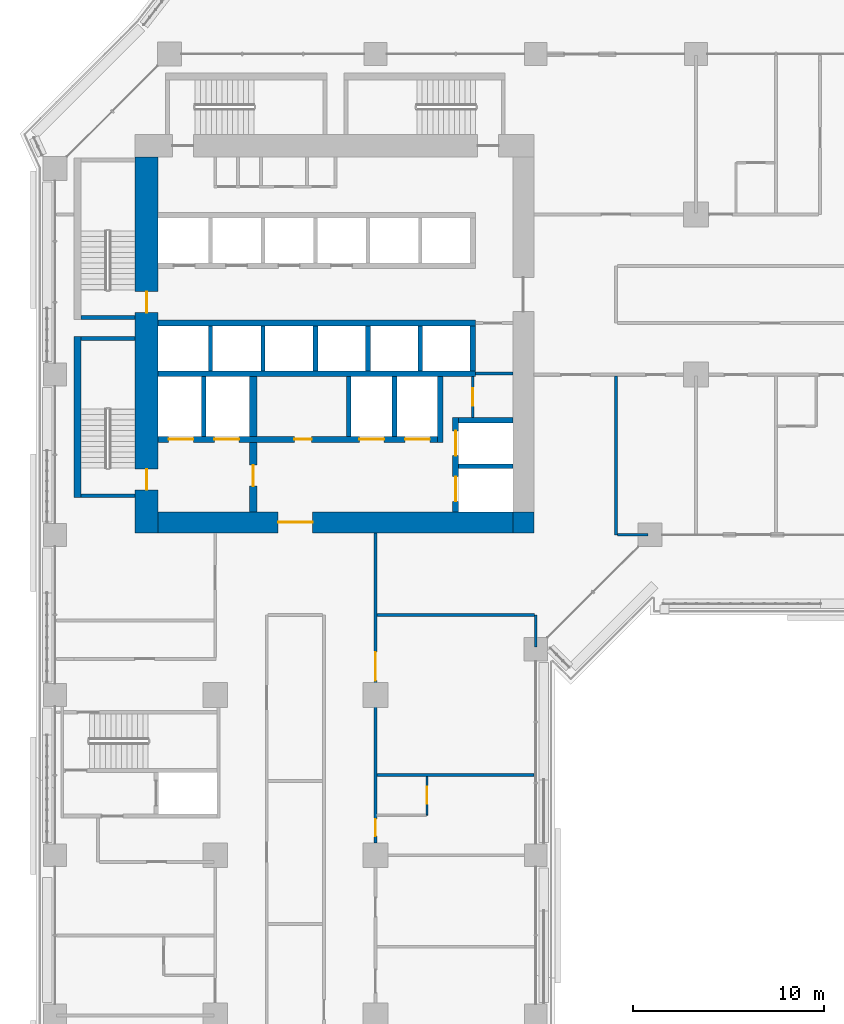
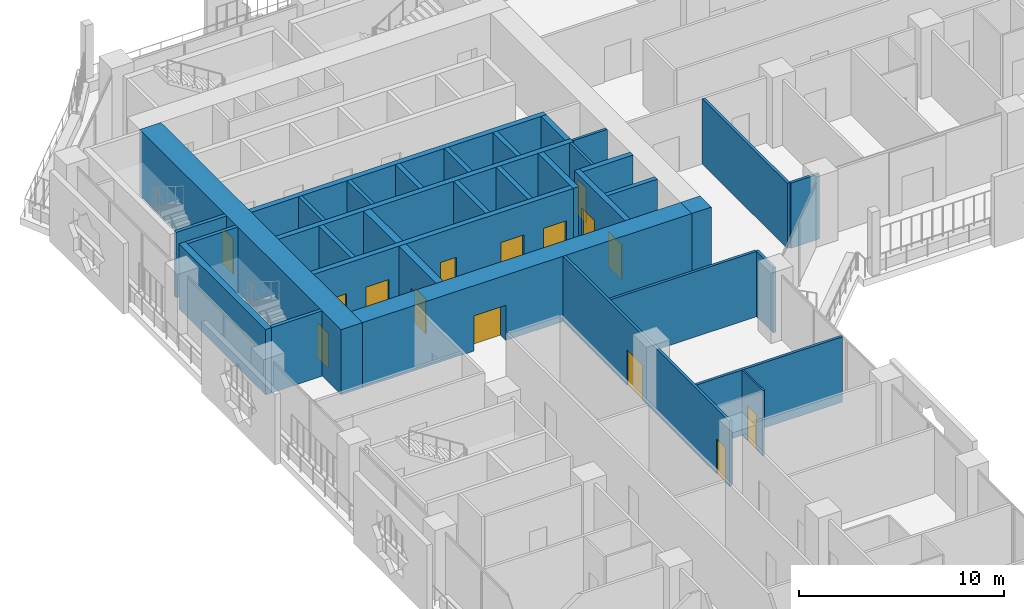
# One storey, part 15 of 28: 34 walls, 15 doors, 15 openings.
"""IFC4 building model written with IfcOpenShell, lengths in metres."""

import ifcopenshell
import ifcopenshell.guid

model = None  # the IFC model being written
_history = None  # IfcOwnerHistory: only IFC2X3 demands one
_inside = {}  # id of a spatial element -> (the spatial element, [elements in it])
_under = {}  # id of a project, library or spatial element -> (it, [spatial elements below it])
_declared = {}  # id of a project -> (the project, [libraries it declares])
_typed = {}  # id of a type object -> (the type object, [elements of that type])
_made_of = {}  # id of a material, layer set ... -> (it, [elements and type objects made of it])


def new_model(schema):
    """Start an empty IFC model of exactly this schema.

    Asked for "IFC4X3", IfcOpenShell would pick the latest addendum, in which some entities
    have other attributes; the version numbers below select the first issue.
    IFC2X3 requires an IfcOwnerHistory on every rooted entity: one is made here for all.
    """
    global model, _history
    if schema == "IFC4X3":
        model = ifcopenshell.file(schema_version=(4, 3, 0, 0))
    else:
        model = ifcopenshell.file(schema=schema)
    _inside.clear()
    _under.clear()
    _declared.clear()
    _typed.clear()
    _made_of.clear()
    _history = None
    if model.schema == "IFC2X3":
        org = make("IfcOrganization", Name="unknown")
        user = make(
            "IfcPersonAndOrganization",
            ThePerson=make("IfcPerson", FamilyName="unknown"),
            TheOrganization=org,
        )
        app = make(
            "IfcApplication",
            ApplicationDeveloper=org,
            Version="unknown",
            ApplicationFullName="unknown",
            ApplicationIdentifier="unknown",
        )
        _history = make(
            "IfcOwnerHistory",
            OwningUser=user,
            OwningApplication=app,
            ChangeAction="ADDED",
            CreationDate=0,
        )
    return model


def make(cls, **values):
    """One entity of the class cls with the attributes given. An attribute that is None is left unset."""
    return model.create_entity(
        cls, **{name: value for name, value in values.items() if value is not None}
    )


def rooted(cls, **values):
    """An entity with a GlobalId (a new one), such as an element, a storey or a relation."""
    return make(cls, GlobalId=ifcopenshell.guid.new(), OwnerHistory=_history, **values)


def si_unit(unit_type, name, prefix=None):
    """IfcSIUnit, for example si_unit("LENGTHUNIT", "METRE", prefix="MILLI")."""
    return make("IfcSIUnit", UnitType=unit_type, Prefix=prefix, Name=name)


def assignment(units):
    """IfcUnitAssignment: the units of a project."""
    return None if units is None else make("IfcUnitAssignment", Units=units)


def point(xyz):
    """IfcCartesianPoint."""
    return None if xyz is None else make("IfcCartesianPoint", Coordinates=xyz)


def direction(xyz):
    """IfcDirection."""
    return None if xyz is None else make("IfcDirection", DirectionRatios=xyz)


def frame(location, z_axis=None, x_axis=None):
    """IfcAxis2Placement3D, a coordinate frame: its origin and axes. An axis left out is left unset."""
    return make(
        "IfcAxis2Placement3D",
        Location=point(location),
        Axis=direction(z_axis),
        RefDirection=direction(x_axis),
    )


def frame_2d(location, x_axis=None):
    """IfcAxis2Placement2D, a coordinate frame in the plane: its origin and x axis."""
    return make(
        "IfcAxis2Placement2D", Location=point(location), RefDirection=direction(x_axis)
    )


def origin():
    """The frame at (0, 0, 0) with its axes left unset."""
    return frame((0.0, 0.0, 0.0))


def place(relative_to, where):
    """IfcLocalPlacement: puts the frame where relative to a parent placement (None: the world)."""
    return make(
        "IfcLocalPlacement", PlacementRelTo=relative_to, RelativePlacement=where
    )


def context(
    kind, dimensions, precision=None, world=None, true_north=None, identifier=None
):
    """IfcGeometricRepresentationContext, for example the 3D "Model" context."""
    return make(
        "IfcGeometricRepresentationContext",
        ContextIdentifier=identifier,
        ContextType=kind,
        CoordinateSpaceDimension=dimensions,
        Precision=precision,
        WorldCoordinateSystem=world,
        TrueNorth=true_north,
    )


def subcontext(parent, identifier, kind, view, scale=None):
    """IfcGeometricRepresentationSubContext, for example "Body" below "Model"."""
    return make(
        "IfcGeometricRepresentationSubContext",
        ContextIdentifier=identifier,
        ContextType=kind,
        ParentContext=parent,
        TargetScale=scale,
        TargetView=view,
    )


def project(units=None, contexts=None):
    """IfcProject with its units and contexts."""
    return rooted(
        "IfcProject",
        Name="project",
        RepresentationContexts=contexts,
        UnitsInContext=assignment(units),
    )


def spatial(cls, under=None, at=None, **own):
    """A site, building, storey or space (cls), placed at a placement, below another one or the project."""
    s = rooted(cls, ObjectPlacement=at, **own)
    if under is not None:
        _under.setdefault(under.id(), (under, []))[1].append(s)
    return s


def profile(cls, at=None, kind="AREA", **sizes):
    """A parametric profile (cls). Its sizes go by their IFC names, for example OverallWidth=200.0."""
    return make(cls, ProfileType=kind, Position=at, **sizes)


def rectangle(**sizes):
    """IfcRectangleProfileDef."""
    return profile("IfcRectangleProfileDef", **sizes)


def extrude(swept, where, along, depth):
    """IfcExtrudedAreaSolid: the profile swept, set in the frame where, extruded along a direction by depth."""
    return make(
        "IfcExtrudedAreaSolid",
        SweptArea=swept,
        Position=where,
        ExtrudedDirection=direction(along),
        Depth=depth,
    )


def shape(context_of_items, identifier, shape_type, items):
    """IfcShapeRepresentation: the items that make up one representation, for example the "Body"."""
    return make(
        "IfcShapeRepresentation",
        ContextOfItems=context_of_items,
        RepresentationIdentifier=identifier,
        RepresentationType=shape_type,
        Items=items,
    )


def material(Name=None, Category=None):
    """IfcMaterial."""
    return make("IfcMaterial", Name=Name, Category=Category)


def layer(
    of_material, thickness, ventilated=None, Name=None, Category=None, Priority=None
):
    """IfcMaterialLayer: one layer of a wall or slab, of a material (None: an air gap)."""
    return make(
        "IfcMaterialLayer",
        Material=of_material,
        LayerThickness=thickness,
        IsVentilated=ventilated,
        Name=Name,
        Category=Category,
        Priority=Priority,
    )


def layer_set(layers, Name=None):
    """IfcMaterialLayerSet."""
    return make("IfcMaterialLayerSet", MaterialLayers=layers, LayerSetName=Name)


def made_of(thing, what):
    """Note that an element or type object is made of a material, layer set ...; save() writes the relation."""
    if what is not None:
        _made_of.setdefault(what.id(), (what, []))[1].append(thing)
    return thing


def type_object(cls, material=None, **own):
    """A type object (cls), such as IfcWallType, which elements share."""
    return made_of(rooted(cls, **own), material)


def element(
    cls,
    number,
    at=None,
    inside=None,
    cuts=None,
    type_object=None,
    material=None,
    context=None,
    identifier="Body",
    shape_type=None,
    held_by="IfcProductDefinitionShape",
    body=None,
    shapes=None,
    **own,
):
    """One element of the class cls, such as IfcWall. Its Tag is "e" and its number.

    at: its placement. inside: the storey or other place that contains it. cuts: it is an
    opening in that element (IfcRelVoidsElement). A single representation is given by context,
    identifier, shape_type and body (its items); several are given by shapes. held_by: the class
    of the entity that holds the representations. save() writes the other relations.
    """
    e = rooted(cls, Tag="e%d" % number, ObjectPlacement=at, **own)
    if body is not None:
        shapes = [shape(context, identifier, shape_type, body)]
    if shapes is not None:
        e.Representation = make(held_by, Representations=shapes)
    if inside is not None:
        _inside.setdefault(inside.id(), (inside, []))[1].append(e)
    if cuts is not None:
        rooted(
            "IfcRelVoidsElement", RelatingBuildingElement=cuts, RelatedOpeningElement=e
        )
    if type_object is not None:
        _typed.setdefault(type_object.id(), (type_object, []))[1].append(e)
    return made_of(e, material)


def fill(opening, filler):
    """IfcRelFillsElement: the door or window that sits in an opening."""
    return rooted(
        "IfcRelFillsElement",
        RelatingOpeningElement=opening,
        RelatedBuildingElement=filler,
    )


def aggregate(whole, parts):
    """IfcRelAggregates: a whole, such as a stair, and the parts it consists of."""
    return rooted("IfcRelAggregates", RelatingObject=whole, RelatedObjects=parts)


def save(model, path):
    """Write the relations noted so far, then the file.

    IfcRelAggregates (storeys below a building ...), IfcRelContainedInSpatialStructure (elements
    in a storey), IfcRelDefinesByType, IfcRelAssociatesMaterial and IfcRelDeclares: one each for
    every whole, place, type object, material and project.
    """
    for whole, parts in _under.values():
        aggregate(whole, parts)
    for where, things in _inside.values():
        rooted(
            "IfcRelContainedInSpatialStructure",
            RelatedElements=things,
            RelatingStructure=where,
        )
    for kind, things in _typed.values():
        rooted("IfcRelDefinesByType", RelatedObjects=things, RelatingType=kind)
    for what, things in _made_of.values():
        rooted("IfcRelAssociatesMaterial", RelatedObjects=things, RelatingMaterial=what)
    for by, libraries in _declared.values():
        rooted("IfcRelDeclares", RelatingContext=by, RelatedDefinitions=libraries)
    model.write(path)


model = new_model("IFC4")

# Units and contexts
model_context = context("Model", 3, precision=1e-05, world=origin(), true_north=direction((0.0, 1.0)))
body_context = subcontext(model_context, "Body", "Model", "MODEL_VIEW")
ifc_project = project(units=[si_unit("LENGTHUNIT", "METRE"), si_unit("AREAUNIT", "SQUARE_METRE"), si_unit("VOLUMEUNIT", "CUBIC_METRE"), si_unit("PLANEANGLEUNIT", "RADIAN"), si_unit("MASSUNIT", "GRAM", prefix="KILO")], contexts=[model_context])

# Site, building, storey
site_placement = place(None, origin())
site = spatial("IfcSite", under=ifc_project, at=site_placement, CompositionType="ELEMENT")
building_placement = place(site_placement, origin())
building = spatial("IfcBuilding", under=site, at=building_placement, Name="Kawkab Arch Medical Tower", CompositionType="ELEMENT")
storey_placement = place(building_placement, frame((0.0, 0.0, 56.0)))
storey = spatial("IfcBuildingStorey", under=building, at=storey_placement, Name="L12", CompositionType="ELEMENT", Elevation=56.0)

# Wall, opening, door
ifc_material_1 = material(Name="Concrete C60/75", Category="concrete")
ifc_layer_1 = layer(ifc_material_1, 1.10009765625)
ifc_layer_set_1 = layer_set([ifc_layer_1], Name="Concrete C60/75")
wall_type_1 = type_object("IfcWallType", Name="Core ring wall 1100 C60/75", PredefinedType="SHEAR", material=ifc_layer_set_1)
wall_1_placement = place(storey_placement, frame((5.39990234375, -24.550048828125, 0.0), z_axis=(0.0, 0.0, 1.0), x_axis=(1.0, 0.0, 0.0)))
wall_1 = element("IfcWall", 1, at=wall_1_placement, inside=storey, type_object=wall_type_1, Name="L12 core wall", PredefinedType="SHEAR", context=body_context, shape_type="SweptSolid", body=[
    extrude(rectangle(XDim=18.60009765625, YDim=1.10009765625, at=frame_2d((9.300048828125, 0.0))), origin(), (0.0, 0.0, 1.0), 3.89990234375),
])
opening_1_placement = place(wall_1_placement, frame((6.300048828125, 0.0, 0.0)))
opening_1 = element("IfcOpeningElement", 2, at=opening_1_placement, cuts=wall_1, Name="Opening PD", PredefinedType="OPENING", context=body_context, shape_type="SweptSolid", body=[
    extrude(rectangle(XDim=1.800048828125, YDim=2.10009765625, at=frame_2d((0.89990234375, 1.050048828125))), frame((0.0, 0.56005859375, 0.0), z_axis=(0.0, -1.0, 0.0), x_axis=(1.0, 0.0, 0.0)), (0.0, 0.0, 1.0), 1.1201171875),
])
ifc_material_2 = material(Name="Hollow metal fire door leaf")
door_type_1 = type_object("IfcDoorType", Name="Core entrance doors 1800", OperationType="DOUBLE_DOOR_SINGLE_SWING", PredefinedType="DOOR", material=ifc_material_2)
door_1_placement = place(opening_1_placement, origin())
door_1 = element("IfcDoor", 3, at=door_1_placement, inside=storey, type_object=door_type_1, Name="L12 South entrance doors", OperationType="DOUBLE_DOOR_SINGLE_SWING", OverallHeight=2.10009765625, OverallWidth=1.800048828125, PredefinedType="DOOR", context=body_context, shape_type="SweptSolid", body=[
    extrude(rectangle(XDim=1.800048828125, YDim=2.10009765625, at=frame_2d((0.89990234375, 1.050048828125))), frame((0.0, 0.02490234375, 0.0), z_axis=(0.0, -1.0, 0.0), x_axis=(1.0, 0.0, 0.0)), (0.0, 0.0, 1.0), 0.050048828125),
])
fill(opening_1, door_1)

# Wall
wall_2_placement = place(storey_placement, frame((24.550048828125, -25.10009765625, 0.0), z_axis=(0.0, 0.0, 1.0), x_axis=(0.0, 1.0, 0.0)))
element("IfcWall", 4, at=wall_2_placement, inside=storey, type_object=wall_type_1, Name="L12 core wall", PredefinedType="SHEAR", context=body_context, shape_type="SweptSolid", body=[
    extrude(rectangle(XDim=1.10009765625, YDim=1.10009765625, at=frame_2d((0.550048828125, 0.0))), origin(), (0.0, 0.0, 1.0), 3.89990234375),
])

# Wall, openings, doors
ifc_material_3 = material(Name="Concrete C60/75", Category="concrete")
ifc_layer_2 = layer(ifc_material_3, 1.199951171875)
ifc_layer_set_2 = layer_set([ifc_layer_2], Name="Concrete C60/75")
wall_type_2 = type_object("IfcWallType", Name="Core ring wall 1200 C60/75", PredefinedType="SHEAR", material=ifc_layer_set_2)
wall_3_placement = place(storey_placement, frame((4.800048828125, -25.10009765625, 0.0), z_axis=(0.0, 0.0, 1.0), x_axis=(0.0, 1.0, 0.0)))
wall_3 = element("IfcWall", 5, at=wall_3_placement, inside=storey, type_object=wall_type_2, Name="L12 core wall", PredefinedType="SHEAR", context=body_context, shape_type="SweptSolid", body=[
    extrude(rectangle(XDim=19.7001953125, YDim=1.199951171875, at=frame_2d((9.85009765625, 0.0))), origin(), (0.0, 0.0, 1.0), 3.89990234375),
])
opening_2_placement = place(wall_3_placement, frame((11.550048828125, 0.0, 0.0)))
opening_2 = element("IfcOpeningElement", 6, at=opening_2_placement, cuts=wall_3, Name="Opening SD", PredefinedType="OPENING", context=body_context, shape_type="SweptSolid", body=[
    extrude(rectangle(XDim=1.10009765625, YDim=2.10009765625, at=frame_2d((0.550048828125, 1.050048828125))), frame((0.0, 0.60986328125, 0.0), z_axis=(0.0, -1.0, 0.0), x_axis=(1.0, 0.0, 0.0)), (0.0, 0.0, 1.0), 1.219970703125),
])
opening_3_placement = place(wall_3_placement, frame((2.25, 0.0, 0.0)))
opening_3 = element("IfcOpeningElement", 7, at=opening_3_placement, cuts=wall_3, Name="Opening SD", PredefinedType="OPENING", context=body_context, shape_type="SweptSolid", body=[
    extrude(rectangle(XDim=1.10009765625, YDim=2.10009765625, at=frame_2d((0.550048828125, 1.050048828125))), frame((0.0, 0.60986328125, 0.0), z_axis=(0.0, -1.0, 0.0), x_axis=(1.0, 0.0, 0.0)), (0.0, 0.0, 1.0), 1.219970703125),
])
ifc_material_4 = material(Name="Hollow metal fire door leaf")
door_type_2 = type_object("IfcDoorType", Name="Exit stair door 1100", OperationType="SINGLE_SWING_LEFT", PredefinedType="DOOR", material=ifc_material_4)
door_2_placement = place(opening_2_placement, origin())
door_2 = element("IfcDoor", 8, at=door_2_placement, inside=storey, type_object=door_type_2, Name="L12 Exit stair ST1 door", OperationType="SINGLE_SWING_LEFT", OverallHeight=2.10009765625, OverallWidth=1.10009765625, PredefinedType="DOOR", context=body_context, shape_type="SweptSolid", body=[
    extrude(rectangle(XDim=1.10009765625, YDim=2.10009765625, at=frame_2d((0.550048828125, 1.050048828125))), frame((0.0, 0.02490234375, 0.0), z_axis=(0.0, -1.0, 0.0), x_axis=(1.0, 0.0, 0.0)), (0.0, 0.0, 1.0), 0.050048828125),
])
fill(opening_2, door_2)
door_3_placement = place(opening_3_placement, origin())
door_3 = element("IfcDoor", 9, at=door_3_placement, inside=storey, type_object=door_type_2, Name="L12 Exit stair ST2 door", OperationType="SINGLE_SWING_LEFT", OverallHeight=2.10009765625, OverallWidth=1.10009765625, PredefinedType="DOOR", context=body_context, shape_type="SweptSolid", body=[
    extrude(rectangle(XDim=1.10009765625, YDim=2.10009765625, at=frame_2d((0.550048828125, 1.050048828125))), frame((0.0, 0.02490234375, 0.0), z_axis=(0.0, -1.0, 0.0), x_axis=(1.0, 0.0, 0.0)), (0.0, 0.0, 1.0), 0.050048828125),
])
fill(opening_3, door_3)

# Wall, opening, door
ifc_material_5 = material(Name="Gypsum board on steel studs", Category="steel")
ifc_layer_3 = layer(ifc_material_5, 0.14990234375)
ifc_layer_set_3 = layer_set([ifc_layer_3], Name="Gypsum board on steel studs")
wall_type_3 = type_object("IfcWallType", Name="Core room partition 150", PredefinedType="PARTITIONING", material=ifc_layer_set_3)
wall_4_placement = place(storey_placement, frame((21.89990234375, -19.050048828125, 0.0), z_axis=(0.0, 0.0, 1.0), x_axis=(0.0, 1.0, 0.0)))
wall_4 = element("IfcWall", 10, at=wall_4_placement, inside=storey, type_object=wall_type_3, Name="L12 core room partition", PredefinedType="PARTITIONING", context=body_context, shape_type="SweptSolid", body=[
    extrude(rectangle(XDim=2.150146484375, YDim=0.14990234375, at=frame_2d((1.0751953125, 0.0))), origin(), (0.0, 0.0, 1.0), 3.89990234375),
])
opening_4_placement = place(wall_4_placement, frame((0.625, 0.0, 0.0)))
opening_4 = element("IfcOpeningElement", 11, at=opening_4_placement, cuts=wall_4, Name="Opening RD", PredefinedType="OPENING", context=body_context, shape_type="SweptSolid", body=[
    extrude(rectangle(XDim=0.89990234375, YDim=2.10009765625, at=frame_2d((0.449951171875, 1.050048828125))), frame((0.0, 0.0849609375, 0.0), z_axis=(0.0, -1.0, 0.0), x_axis=(1.0, 0.0, 0.0)), (0.0, 0.0, 1.0), 0.169921875),
])
ifc_material_6 = material(Name="Hollow metal fire door leaf")
door_type_3 = type_object("IfcDoorType", Name="Core room door 900", OperationType="SINGLE_SWING_LEFT", PredefinedType="DOOR", material=ifc_material_6)
door_4_placement = place(opening_4_placement, origin())
door_4 = element("IfcDoor", 12, at=door_4_placement, inside=storey, type_object=door_type_3, Name="L12 Staff WC door", OperationType="SINGLE_SWING_LEFT", OverallHeight=2.10009765625, OverallWidth=0.89990234375, PredefinedType="DOOR", context=body_context, shape_type="SweptSolid", body=[
    extrude(rectangle(XDim=0.89990234375, YDim=2.10009765625, at=frame_2d((0.449951171875, 1.050048828125))), frame((0.0, 0.02490234375, 0.0), z_axis=(0.0, -1.0, 0.0), x_axis=(1.0, 0.0, 0.0)), (0.0, 0.0, 1.0), 0.050048828125),
])
fill(opening_4, door_4)

# Walls
wall_5_placement = place(storey_placement, frame((22.050048828125, -16.75, 0.0), z_axis=(0.0, 0.0, 1.0), x_axis=(1.0, 0.0, 0.0)))
element("IfcWall", 13, at=wall_5_placement, inside=storey, type_object=wall_type_3, Name="L12 core room partition", PredefinedType="PARTITIONING", context=body_context, shape_type="SweptSolid", body=[
    extrude(rectangle(XDim=1.949951171875, YDim=0.14990234375, at=frame_2d((0.97509765625, 0.0))), origin(), (0.0, 0.0, 1.0), 3.89990234375),
])
ifc_material_7 = material(Name="Concrete C60/75", Category="concrete")
ifc_layer_4 = layer(ifc_material_7, 0.25)
ifc_layer_set_4 = layer_set([ifc_layer_4], Name="Concrete C60/75")
wall_type_4 = type_object("IfcWallType", Name="Core shear wall 250 C60/75", PredefinedType="SHEAR", material=ifc_layer_set_4)
wall_6_placement = place(storey_placement, frame((21.14990234375, -21.60009765625, 0.0), z_axis=(0.0, 0.0, 1.0), x_axis=(1.0, 0.0, 0.0)))
element("IfcWall", 14, at=wall_6_placement, inside=storey, type_object=wall_type_4, Name="L12 core shear wall", PredefinedType="SHEAR", context=body_context, shape_type="SweptSolid", body=[
    extrude(rectangle(XDim=2.85009765625, YDim=0.25, at=frame_2d((1.425048828125, 0.0))), origin(), (0.0, 0.0, 1.0), 3.89990234375),
])
for number, where, z_axis, x_axis, name in (
    (15, (7.800048828125, -20.050048828125, 0.0), (0.0, 0.0, 1.0), (0.0, 1.0, 0.0), "L12 core shear wall"),
    (16, (15.39990234375, -20.050048828125, 0.0), (0.0, 0.0, 1.0), (0.0, 1.0, 0.0), "L12 core shear wall"),
    (17, (17.800048828125, -20.050048828125, 0.0), (0.0, 0.0, 1.0), (0.0, 1.0, 0.0), "L12 core shear wall"),
):
    element("IfcWall", number, at=place(storey_placement, frame(where, z_axis=z_axis, x_axis=x_axis)), inside=storey, type_object=wall_type_4, Name=name, PredefinedType="SHEAR", context=body_context, shape_type="SweptSolid", body=[
        extrude(rectangle(XDim=3.150146484375, YDim=0.25, at=frame_2d((1.5751953125, 0.0))), origin(), (0.0, 0.0, 1.0), 3.89990234375),
    ])
for number, where, z_axis, x_axis, name in (
    (18, (13.64990234375, -16.60009765625, 0.0), (0.0, 0.0, 1.0), (0.0, 1.0, 0.0), "L12 core shear wall"),
    (19, (16.39990234375, -16.60009765625, 0.0), (0.0, 0.0, 1.0), (0.0, 1.0, 0.0), "L12 core shear wall"),
    (20, (19.14990234375, -16.60009765625, 0.0), (0.0, 0.0, 1.0), (0.0, 1.0, 0.0), "L12 core shear wall"),
):
    element("IfcWall", number, at=place(storey_placement, frame(where, z_axis=z_axis, x_axis=x_axis)), inside=storey, type_object=wall_type_4, Name=name, PredefinedType="SHEAR", context=body_context, shape_type="SweptSolid", body=[
        extrude(rectangle(XDim=2.35009765625, YDim=0.25, at=frame_2d((1.175048828125, 0.0))), origin(), (0.0, 0.0, 1.0), 3.89990234375),
    ])
ifc_material_8 = material(Name="Concrete C60/75", Category="concrete")
ifc_layer_5 = layer(ifc_material_8, 0.300048828125)
ifc_layer_set_5 = layer_set([ifc_layer_5], Name="Concrete C60/75")
wall_type_5 = type_object("IfcWallType", Name="Core shear wall 300 C60/75", PredefinedType="SHEAR", material=ifc_layer_set_5)
for number, where, z_axis, x_axis, name in (
    (21, (5.39990234375, -14.10009765625, 0.0), (0.0, 0.0, 1.0), (1.0, 0.0, 0.0), "L12 core shear wall"),
    (22, (5.39990234375, -16.75, 0.0), (0.0, 0.0, 1.0), (1.0, 0.0, 0.0), "L12 core shear wall"),
):
    element("IfcWall", number, at=place(storey_placement, frame(where, z_axis=z_axis, x_axis=x_axis)), inside=storey, type_object=wall_type_5, Name=name, PredefinedType="SHEAR", context=body_context, shape_type="SweptSolid", body=[
        extrude(rectangle(XDim=16.650146484375, YDim=0.300048828125, at=frame_2d((8.3251953125, 0.0))), origin(), (0.0, 0.0, 1.0), 3.89990234375),
    ])

# Wall, openings, doors
wall_7_placement = place(storey_placement, frame((5.39990234375, -20.199951171875, 0.0), z_axis=(0.0, 0.0, 1.0), x_axis=(1.0, 0.0, 0.0)))
wall_7 = element("IfcWall", 23, at=wall_7_placement, inside=storey, type_object=wall_type_5, Name="L12 core shear wall", PredefinedType="SHEAR", context=body_context, shape_type="SweptSolid", body=[
    extrude(rectangle(XDim=14.650146484375, YDim=0.300048828125, at=frame_2d((7.3251953125, 0.0))), origin(), (0.0, 0.0, 1.0), 3.89990234375),
])
opening_5_placement = place(wall_7_placement, frame((10.550048828125, 0.0, 0.0)))
opening_5 = element("IfcOpeningElement", 24, at=opening_5_placement, cuts=wall_7, Name="Opening LD2", PredefinedType="OPENING", context=body_context, shape_type="SweptSolid", body=[
    extrude(rectangle(XDim=1.300048828125, YDim=2.10009765625, at=frame_2d((0.64990234375, 1.050048828125))), frame((0.0, 0.159912109375, 0.0), z_axis=(0.0, -1.0, 0.0), x_axis=(1.0, 0.0, 0.0)), (0.0, 0.0, 1.0), 0.320068359375),
])
opening_6_placement = place(wall_7_placement, frame((12.949951171875, 0.0, 0.0)))
opening_6 = element("IfcOpeningElement", 25, at=opening_6_placement, cuts=wall_7, Name="Opening LD2", PredefinedType="OPENING", context=body_context, shape_type="SweptSolid", body=[
    extrude(rectangle(XDim=1.300048828125, YDim=2.10009765625, at=frame_2d((0.64990234375, 1.050048828125))), frame((0.0, 0.159912109375, 0.0), z_axis=(0.0, -1.0, 0.0), x_axis=(1.0, 0.0, 0.0)), (0.0, 0.0, 1.0), 0.320068359375),
])
opening_7_placement = place(wall_7_placement, frame((0.550048828125, 0.0, 0.0)))
opening_7 = element("IfcOpeningElement", 26, at=opening_7_placement, cuts=wall_7, Name="Opening LD2", PredefinedType="OPENING", context=body_context, shape_type="SweptSolid", body=[
    extrude(rectangle(XDim=1.300048828125, YDim=2.10009765625, at=frame_2d((0.64990234375, 1.050048828125))), frame((0.0, 0.159912109375, 0.0), z_axis=(0.0, -1.0, 0.0), x_axis=(1.0, 0.0, 0.0)), (0.0, 0.0, 1.0), 0.320068359375),
])
opening_8_placement = place(wall_7_placement, frame((2.949951171875, 0.0, 0.0)))
opening_8 = element("IfcOpeningElement", 27, at=opening_8_placement, cuts=wall_7, Name="Opening LD2", PredefinedType="OPENING", context=body_context, shape_type="SweptSolid", body=[
    extrude(rectangle(XDim=1.300048828125, YDim=2.10009765625, at=frame_2d((0.64990234375, 1.050048828125))), frame((0.0, 0.159912109375, 0.0), z_axis=(0.0, -1.0, 0.0), x_axis=(1.0, 0.0, 0.0)), (0.0, 0.0, 1.0), 0.320068359375),
])
opening_9_placement = place(wall_7_placement, frame((7.14990234375, 0.0, 0.0)))
opening_9 = element("IfcOpeningElement", 28, at=opening_9_placement, cuts=wall_7, Name="Opening RD", PredefinedType="OPENING", context=body_context, shape_type="SweptSolid", body=[
    extrude(rectangle(XDim=0.89990234375, YDim=2.10009765625, at=frame_2d((0.449951171875, 1.050048828125))), frame((0.0, 0.159912109375, 0.0), z_axis=(0.0, -1.0, 0.0), x_axis=(1.0, 0.0, 0.0)), (0.0, 0.0, 1.0), 0.320068359375),
])
door_5_placement = place(opening_9_placement, origin())
door_5 = element("IfcDoor", 29, at=door_5_placement, inside=storey, type_object=door_type_3, Name="L12 Housekeeping store door", OperationType="SINGLE_SWING_LEFT", OverallHeight=2.10009765625, OverallWidth=0.89990234375, PredefinedType="DOOR", context=body_context, shape_type="SweptSolid", body=[
    extrude(rectangle(XDim=0.89990234375, YDim=2.10009765625, at=frame_2d((0.449951171875, 1.050048828125))), frame((0.0, 0.02490234375, 0.0), z_axis=(0.0, -1.0, 0.0), x_axis=(1.0, 0.0, 0.0)), (0.0, 0.0, 1.0), 0.050048828125),
])
fill(opening_9, door_5)
ifc_material_9 = material(Name="Stainless steel lift door leaf", Category="steel")
door_type_4 = type_object("IfcDoorType", Name="Lift landing door 1300", OperationType="DOUBLE_DOOR_SLIDING", PredefinedType="DOOR", material=ifc_material_9)
door_6_placement = place(opening_5_placement, origin())
door_6 = element("IfcDoor", 30, at=door_6_placement, inside=storey, type_object=door_type_4, Name="L12 Lift landing door BD3", OperationType="DOUBLE_DOOR_SLIDING", OverallHeight=2.10009765625, OverallWidth=1.300048828125, PredefinedType="DOOR", context=body_context, shape_type="SweptSolid", body=[
    extrude(rectangle(XDim=1.300048828125, YDim=2.10009765625, at=frame_2d((0.64990234375, 1.050048828125))), frame((0.0, 0.02490234375, 0.0), z_axis=(0.0, -1.0, 0.0), x_axis=(1.0, 0.0, 0.0)), (0.0, 0.0, 1.0), 0.050048828125),
])
fill(opening_5, door_6)
door_7_placement = place(opening_6_placement, origin())
door_7 = element("IfcDoor", 31, at=door_7_placement, inside=storey, type_object=door_type_4, Name="L12 Lift landing door BD4", OperationType="DOUBLE_DOOR_SLIDING", OverallHeight=2.10009765625, OverallWidth=1.300048828125, PredefinedType="DOOR", context=body_context, shape_type="SweptSolid", body=[
    extrude(rectangle(XDim=1.300048828125, YDim=2.10009765625, at=frame_2d((0.64990234375, 1.050048828125))), frame((0.0, 0.02490234375, 0.0), z_axis=(0.0, -1.0, 0.0), x_axis=(1.0, 0.0, 0.0)), (0.0, 0.0, 1.0), 0.050048828125),
])
fill(opening_6, door_7)
door_8_placement = place(opening_7_placement, origin())
door_8 = element("IfcDoor", 32, at=door_8_placement, inside=storey, type_object=door_type_4, Name="L12 Lift landing door FL1", OperationType="DOUBLE_DOOR_SLIDING", OverallHeight=2.10009765625, OverallWidth=1.300048828125, PredefinedType="DOOR", context=body_context, shape_type="SweptSolid", body=[
    extrude(rectangle(XDim=1.300048828125, YDim=2.10009765625, at=frame_2d((0.64990234375, 1.050048828125))), frame((0.0, 0.02490234375, 0.0), z_axis=(0.0, -1.0, 0.0), x_axis=(1.0, 0.0, 0.0)), (0.0, 0.0, 1.0), 0.050048828125),
])
fill(opening_7, door_8)
door_9_placement = place(opening_8_placement, origin())
door_9 = element("IfcDoor", 33, at=door_9_placement, inside=storey, type_object=door_type_4, Name="L12 Lift landing door FL2", OperationType="DOUBLE_DOOR_SLIDING", OverallHeight=2.10009765625, OverallWidth=1.300048828125, PredefinedType="DOOR", context=body_context, shape_type="SweptSolid", body=[
    extrude(rectangle(XDim=1.300048828125, YDim=2.10009765625, at=frame_2d((0.64990234375, 1.050048828125))), frame((0.0, 0.02490234375, 0.0), z_axis=(0.0, -1.0, 0.0), x_axis=(1.0, 0.0, 0.0)), (0.0, 0.0, 1.0), 0.050048828125),
])
fill(opening_8, door_9)

# Walls
wall_8_placement = place(storey_placement, frame((20.199951171875, -20.35009765625, 0.0), z_axis=(0.0, 0.0, 1.0), x_axis=(0.0, 1.0, 0.0)))
element("IfcWall", 34, at=wall_8_placement, inside=storey, type_object=wall_type_5, Name="L12 core shear wall", PredefinedType="SHEAR", context=body_context, shape_type="SweptSolid", body=[
    extrude(rectangle(XDim=3.4501953125, YDim=0.300048828125, at=frame_2d((1.72509765625, 0.0))), origin(), (0.0, 0.0, 1.0), 3.89990234375),
])
wall_9_placement = place(storey_placement, frame((21.89990234375, -16.60009765625, 0.0), z_axis=(0.0, 0.0, 1.0), x_axis=(0.0, 1.0, 0.0)))
element("IfcWall", 35, at=wall_9_placement, inside=storey, type_object=wall_type_5, Name="L12 core shear wall", PredefinedType="SHEAR", context=body_context, shape_type="SweptSolid", body=[
    extrude(rectangle(XDim=2.35009765625, YDim=0.300048828125, at=frame_2d((1.175048828125, 0.0))), origin(), (0.0, 0.0, 1.0), 3.89990234375),
])
wall_10_placement = place(storey_placement, frame((21.14990234375, -19.199951171875, 0.0), z_axis=(0.0, 0.0, 1.0), x_axis=(1.0, 0.0, 0.0)))
element("IfcWall", 36, at=wall_10_placement, inside=storey, type_object=wall_type_5, Name="L12 core shear wall", PredefinedType="SHEAR", context=body_context, shape_type="SweptSolid", body=[
    extrude(rectangle(XDim=2.85009765625, YDim=0.300048828125, at=frame_2d((1.425048828125, 0.0))), origin(), (0.0, 0.0, 1.0), 3.89990234375),
])

# Wall, openings, doors
wall_11_placement = place(storey_placement, frame((21.0, -24.0, 0.0), z_axis=(0.0, 0.0, 1.0), x_axis=(0.0, 1.0, 0.0)))
wall_11 = element("IfcWall", 37, at=wall_11_placement, inside=storey, type_object=wall_type_5, Name="L12 core shear wall", PredefinedType="SHEAR", context=body_context, shape_type="SweptSolid", body=[
    extrude(rectangle(XDim=4.949951171875, YDim=0.300048828125, at=frame_2d((2.47509765625, 0.0))), origin(), (0.0, 0.0, 1.0), 3.89990234375),
])
opening_10_placement = place(wall_11_placement, frame((2.949951171875, 0.0, 0.0)))
opening_10 = element("IfcOpeningElement", 38, at=opening_10_placement, cuts=wall_11, Name="Opening LD2", PredefinedType="OPENING", context=body_context, shape_type="SweptSolid", body=[
    extrude(rectangle(XDim=1.300048828125, YDim=2.10009765625, at=frame_2d((0.64990234375, 1.050048828125))), frame((0.0, 0.159912109375, 0.0), z_axis=(0.0, -1.0, 0.0), x_axis=(1.0, 0.0, 0.0)), (0.0, 0.0, 1.0), 0.320068359375),
])
opening_11_placement = place(wall_11_placement, frame((0.550048828125, 0.0, 0.0)))
opening_11 = element("IfcOpeningElement", 39, at=opening_11_placement, cuts=wall_11, Name="Opening LD2", PredefinedType="OPENING", context=body_context, shape_type="SweptSolid", body=[
    extrude(rectangle(XDim=1.300048828125, YDim=2.10009765625, at=frame_2d((0.64990234375, 1.050048828125))), frame((0.0, 0.159912109375, 0.0), z_axis=(0.0, -1.0, 0.0), x_axis=(1.0, 0.0, 0.0)), (0.0, 0.0, 1.0), 0.320068359375),
])
door_10_placement = place(opening_10_placement, origin())
door_10 = element("IfcDoor", 40, at=door_10_placement, inside=storey, type_object=door_type_4, Name="L12 Lift landing door BD1", OperationType="DOUBLE_DOOR_SLIDING", OverallHeight=2.10009765625, OverallWidth=1.300048828125, PredefinedType="DOOR", context=body_context, shape_type="SweptSolid", body=[
    extrude(rectangle(XDim=1.300048828125, YDim=2.10009765625, at=frame_2d((0.64990234375, 1.050048828125))), frame((0.0, 0.02490234375, 0.0), z_axis=(0.0, -1.0, 0.0), x_axis=(1.0, 0.0, 0.0)), (0.0, 0.0, 1.0), 0.050048828125),
])
fill(opening_10, door_10)
door_11_placement = place(opening_11_placement, origin())
door_11 = element("IfcDoor", 41, at=door_11_placement, inside=storey, type_object=door_type_4, Name="L12 Lift landing door BD2", OperationType="DOUBLE_DOOR_SLIDING", OverallHeight=2.10009765625, OverallWidth=1.300048828125, PredefinedType="DOOR", context=body_context, shape_type="SweptSolid", body=[
    extrude(rectangle(XDim=1.300048828125, YDim=2.10009765625, at=frame_2d((0.64990234375, 1.050048828125))), frame((0.0, 0.02490234375, 0.0), z_axis=(0.0, -1.0, 0.0), x_axis=(1.0, 0.0, 0.0)), (0.0, 0.0, 1.0), 0.050048828125),
])
fill(opening_11, door_11)

# Wall, opening, door
ifc_material_10 = material(Name="Concrete C60/75", Category="concrete")
ifc_layer_6 = layer(ifc_material_10, 0.39990234375)
ifc_layer_set_6 = layer_set([ifc_layer_6], Name="Concrete C60/75")
wall_type_6 = type_object("IfcWallType", Name="Core shear wall 400 C60/75", PredefinedType="SHEAR", material=ifc_layer_set_6)
wall_12_placement = place(storey_placement, frame((10.39990234375, -24.0, 0.0), z_axis=(0.0, 0.0, 1.0), x_axis=(0.0, 1.0, 0.0)))
wall_12 = element("IfcWall", 42, at=wall_12_placement, inside=storey, type_object=wall_type_6, Name="L12 core shear wall", PredefinedType="SHEAR", context=body_context, shape_type="SweptSolid", body=[
    extrude(rectangle(XDim=3.64990234375, YDim=0.39990234375, at=frame_2d((1.824951171875, 0.0))), origin(), (0.0, 0.0, 1.0), 3.89990234375),
])
opening_12_placement = place(wall_12_placement, frame((1.35009765625, 0.0, 0.0)))
opening_12 = element("IfcOpeningElement", 43, at=opening_12_placement, cuts=wall_12, Name="Opening FD", PredefinedType="OPENING", context=body_context, shape_type="SweptSolid", body=[
    extrude(rectangle(XDim=1.10009765625, YDim=2.10009765625, at=frame_2d((0.550048828125, 1.050048828125))), frame((0.0, 0.2099609375, 0.0), z_axis=(0.0, -1.0, 0.0), x_axis=(1.0, 0.0, 0.0)), (0.0, 0.0, 1.0), 0.419921875),
])
ifc_material_11 = material(Name="Hollow metal fire door leaf")
door_type_5 = type_object("IfcDoorType", Name="Firefighting lobby door 1100", OperationType="SINGLE_SWING_LEFT", PredefinedType="DOOR", material=ifc_material_11)
door_12_placement = place(opening_12_placement, origin())
door_12 = element("IfcDoor", 44, at=door_12_placement, inside=storey, type_object=door_type_5, Name="L12 Firefighting lobby door", OperationType="SINGLE_SWING_LEFT", OverallHeight=2.10009765625, OverallWidth=1.10009765625, PredefinedType="DOOR", context=body_context, shape_type="SweptSolid", body=[
    extrude(rectangle(XDim=1.10009765625, YDim=2.10009765625, at=frame_2d((0.550048828125, 1.050048828125))), frame((0.0, 0.02490234375, 0.0), z_axis=(0.0, -1.0, 0.0), x_axis=(1.0, 0.0, 0.0)), (0.0, 0.0, 1.0), 0.050048828125),
])
fill(opening_12, door_12)

# Walls
wall_13_placement = place(storey_placement, frame((10.39990234375, -20.050048828125, 0.0), z_axis=(0.0, 0.0, 1.0), x_axis=(0.0, 1.0, 0.0)))
element("IfcWall", 45, at=wall_13_placement, inside=storey, type_object=wall_type_6, Name="L12 core shear wall", PredefinedType="SHEAR", context=body_context, shape_type="SweptSolid", body=[
    extrude(rectangle(XDim=3.150146484375, YDim=0.39990234375, at=frame_2d((1.5751953125, 0.0))), origin(), (0.0, 0.0, 1.0), 3.89990234375),
])
ifc_material_12 = material(Name="Dense concrete blockwork", Category="masonry")
ifc_layer_7 = layer(ifc_material_12, 0.199951171875)
ifc_layer_set_7 = layer_set([ifc_layer_7], Name="Dense concrete blockwork")
wall_type_7 = type_object("IfcWallType", Name="Lift shaft partition 200", PredefinedType="PARTITIONING", material=ifc_layer_set_7)
for number, where, z_axis, x_axis, name in (
    (46, (8.14990234375, -16.60009765625, 0.0), (0.0, 0.0, 1.0), (0.0, 1.0, 0.0), "L12 lift shaft partition"),
    (47, (10.89990234375, -16.60009765625, 0.0), (0.0, 0.0, 1.0), (0.0, 1.0, 0.0), "L12 lift shaft partition"),
):
    element("IfcWall", number, at=place(storey_placement, frame(where, z_axis=z_axis, x_axis=x_axis)), inside=storey, type_object=wall_type_7, Name=name, PredefinedType="PARTITIONING", context=body_context, shape_type="SweptSolid", body=[
        extrude(rectangle(XDim=2.35009765625, YDim=0.199951171875, at=frame_2d((1.175048828125, 0.0))), origin(), (0.0, 0.0, 1.0), 3.89990234375),
    ])

# Wall, opening, door
ifc_material_13 = material(Name="Gypsum board partition on steel studs", Category="steel")
ifc_layer_8 = layer(ifc_material_13, 0.10009765625)
ifc_layer_set_8 = layer_set([ifc_layer_8], Name="Gypsum board partition on steel studs")
wall_type_8 = type_object("IfcWallType", Name="Partition 100", PredefinedType="PARTITIONING", material=ifc_layer_set_8)
wall_14_placement = place(storey_placement, frame((19.5, -39.89990234375, 0.0), z_axis=(0.0, 0.0, 1.0), x_axis=(0.0, 1.0, 0.0)))
wall_14 = element("IfcWall", 48, at=wall_14_placement, inside=storey, type_object=wall_type_8, Name="Partition 100 w025", PredefinedType="PARTITIONING", context=body_context, shape_type="SweptSolid", body=[
    extrude(rectangle(XDim=2.02490234375, YDim=0.10009765625, at=frame_2d((1.012451171875, 0.0))), origin(), (0.0, 0.0, 1.0), 3.89990234375),
])
opening_13_placement = place(wall_14_placement, frame((0.60009765625, 0.0, 0.0)))
opening_13 = element("IfcOpeningElement", 49, at=opening_13_placement, cuts=wall_14, Name="Opening W12-020", PredefinedType="OPENING", context=body_context, shape_type="SweptSolid", body=[
    extrude(rectangle(XDim=0.89990234375, YDim=2.10009765625, at=frame_2d((0.449951171875, 1.050048828125))), frame((0.0, 0.06005859375, 0.0), z_axis=(0.0, -1.0, 0.0), x_axis=(1.0, 0.0, 0.0)), (0.0, 0.0, 1.0), 0.1201171875),
])
ifc_material_14 = material(Name="Timber door leaf", Category="wood")
door_type_6 = type_object("IfcDoorType", Name="Single door 900x2100", OperationType="NOTDEFINED", PredefinedType="DOOR", material=ifc_material_14)
door_13_placement = place(opening_13_placement, origin())
door_13 = element("IfcDoor", 50, at=door_13_placement, inside=storey, type_object=door_type_6, Name="Door W12-020", OperationType="SINGLE_SWING_LEFT", OverallHeight=2.10009765625, OverallWidth=0.89990234375, PredefinedType="DOOR", context=body_context, shape_type="SweptSolid", body=[
    extrude(rectangle(XDim=0.89990234375, YDim=2.10009765625, at=frame_2d((0.449951171875, 1.050048828125))), frame((0.0, 0.02490234375, 0.0), z_axis=(0.0, -1.0, 0.0), x_axis=(1.0, 0.0, 0.0)), (0.0, 0.0, 1.0), 0.050048828125),
])
fill(opening_13, door_13)

# Walls
ifc_material_15 = material(Name="Gypsum board partition on steel studs, mineral wool", Category="steel")
ifc_layer_9 = layer(ifc_material_15, 0.14990234375)
ifc_layer_set_9 = layer_set([ifc_layer_9], Name="Gypsum board partition on steel studs, mineral wool")
wall_type_9 = type_object("IfcWallType", Name="Partition 150", PredefinedType="PARTITIONING", material=ifc_layer_set_9)
wall_15_placement = place(storey_placement, frame((16.875, -37.800048828125, 0.0), z_axis=(0.0, 0.0, 1.0), x_axis=(1.0, 0.0, 0.0)))
element("IfcWall", 51, at=wall_15_placement, inside=storey, type_object=wall_type_9, Name="Partition 150 w054", PredefinedType="PARTITIONING", context=body_context, shape_type="SweptSolid", body=[
    extrude(rectangle(XDim=8.2451171875, YDim=0.14990234375, at=frame_2d((4.12255859375, 0.0))), origin(), (0.0, 0.0, 1.0), 3.89990234375),
])
wall_16_placement = place(storey_placement, frame((16.875, -29.39990234375, 0.0), z_axis=(0.0, 0.0, 1.0), x_axis=(1.0, 0.0, 0.0)))
element("IfcWall", 52, at=wall_16_placement, inside=storey, type_object=wall_type_9, Name="Partition 150 w060", PredefinedType="PARTITIONING", context=body_context, shape_type="SweptSolid", body=[
    extrude(rectangle(XDim=8.25, YDim=0.14990234375, at=frame_2d((4.125, 0.0))), origin(), (0.0, 0.0, 1.0), 3.89990234375),
])
wall_17_placement = place(storey_placement, frame((29.47509765625, -25.199951171875, 0.0), z_axis=(0.0, 0.0, 1.0), x_axis=(1.0, 0.0, 0.0)))
element("IfcWall", 53, at=wall_17_placement, inside=storey, type_object=wall_type_9, Name="Partition 150 w061", PredefinedType="PARTITIONING", context=body_context, shape_type="SweptSolid", body=[
    extrude(rectangle(XDim=1.61181640625, YDim=0.14990234375, at=frame_2d((0.805908203125, 0.0))), origin(), (0.0, 0.0, 1.0), 3.89990234375),
])

# Wall, openings, doors
wall_18_placement = place(storey_placement, frame((16.800048828125, -41.35009765625, 0.0), z_axis=(0.0, 0.0, 1.0), x_axis=(0.0, 1.0, 0.0)))
wall_18 = element("IfcWall", 54, at=wall_18_placement, inside=storey, type_object=wall_type_9, Name="Partition 150 w078", PredefinedType="PARTITIONING", context=body_context, shape_type="SweptSolid", body=[
    extrude(rectangle(XDim=16.25, YDim=0.14990234375, at=frame_2d((8.125, 0.0))), origin(), (0.0, 0.0, 1.0), 3.89990234375),
])
opening_14_placement = place(wall_18_placement, frame((8.5, 0.0, 0.0)))
opening_14 = element("IfcOpeningElement", 55, at=opening_14_placement, cuts=wall_18, Name="Opening W12-004", PredefinedType="OPENING", context=body_context, shape_type="SweptSolid", body=[
    extrude(rectangle(XDim=1.5, YDim=2.10009765625, at=frame_2d((0.75, 1.050048828125))), frame((0.0, 0.0849609375, 0.0), z_axis=(0.0, -1.0, 0.0), x_axis=(1.0, 0.0, 0.0)), (0.0, 0.0, 1.0), 0.169921875),
])
opening_15_placement = place(wall_18_placement, frame((0.35009765625, 0.0, 0.0)))
opening_15 = element("IfcOpeningElement", 56, at=opening_15_placement, cuts=wall_18, Name="Opening W12-027", PredefinedType="OPENING", context=body_context, shape_type="SweptSolid", body=[
    extrude(rectangle(XDim=0.89990234375, YDim=2.10009765625, at=frame_2d((0.449951171875, 1.050048828125))), frame((0.0, 0.0849609375, 0.0), z_axis=(0.0, -1.0, 0.0), x_axis=(1.0, 0.0, 0.0)), (0.0, 0.0, 1.0), 0.169921875),
])
ifc_material_16 = material(Name="Hollow metal door leaf")
door_type_7 = type_object("IfcDoorType", Name="Double door 1500x2100 FD30S", OperationType="NOTDEFINED", PredefinedType="DOOR", material=ifc_material_16)
door_14_placement = place(opening_14_placement, origin())
door_14 = element("IfcDoor", 57, at=door_14_placement, inside=storey, type_object=door_type_7, Name="Door W12-004", OperationType="DOUBLE_DOOR_SINGLE_SWING", OverallHeight=2.10009765625, OverallWidth=1.5, PredefinedType="DOOR", context=body_context, shape_type="SweptSolid", body=[
    extrude(rectangle(XDim=1.5, YDim=2.10009765625, at=frame_2d((0.75, 1.050048828125))), frame((0.0, 0.02490234375, 0.0), z_axis=(0.0, -1.0, 0.0), x_axis=(1.0, 0.0, 0.0)), (0.0, 0.0, 1.0), 0.050048828125),
])
fill(opening_14, door_14)
ifc_material_17 = material(Name="Hollow metal door leaf")
door_type_8 = type_object("IfcDoorType", Name="Single door 900x2100 FD30S", OperationType="NOTDEFINED", PredefinedType="DOOR", material=ifc_material_17)
door_15_placement = place(opening_15_placement, origin())
door_15 = element("IfcDoor", 58, at=door_15_placement, inside=storey, type_object=door_type_8, Name="Door W12-027", OperationType="SINGLE_SWING_RIGHT", OverallHeight=2.10009765625, OverallWidth=0.89990234375, PredefinedType="DOOR", context=body_context, shape_type="SweptSolid", body=[
    extrude(rectangle(XDim=0.89990234375, YDim=2.10009765625, at=frame_2d((0.449951171875, 1.050048828125))), frame((0.0, 0.02490234375, 0.0), z_axis=(0.0, -1.0, 0.0), x_axis=(1.0, 0.0, 0.0)), (0.0, 0.0, 1.0), 0.050048828125),
])
fill(opening_15, door_15)

# Walls
wall_19_placement = place(storey_placement, frame((25.199951171875, -31.0869140625, 0.0), z_axis=(0.0, 0.0, 1.0), x_axis=(0.0, 1.0, 0.0)))
element("IfcWall", 59, at=wall_19_placement, inside=storey, type_object=wall_type_9, Name="Partition 150 w079", PredefinedType="PARTITIONING", context=body_context, shape_type="SweptSolid", body=[
    extrude(rectangle(XDim=1.68701171875, YDim=0.14990234375, at=frame_2d((0.843505859375, 0.0))), origin(), (0.0, 0.0, 1.0), 3.89990234375),
])
wall_20_placement = place(storey_placement, frame((29.39990234375, -25.199951171875, 0.0), z_axis=(0.0, 0.0, 1.0), x_axis=(0.0, 1.0, 0.0)))
element("IfcWall", 60, at=wall_20_placement, inside=storey, type_object=wall_type_9, Name="Partition 150 w080", PredefinedType="PARTITIONING", context=body_context, shape_type="SweptSolid", body=[
    extrude(rectangle(XDim=8.324951171875, YDim=0.14990234375, at=frame_2d((4.16259765625, 0.0))), origin(), (0.0, 0.0, 1.0), 3.89990234375),
])
ifc_material_18 = material(Name="Concrete C50/60", Category="concrete")
ifc_layer_10 = layer(ifc_material_18, 0.199951171875)
ifc_layer_set_10 = layer_set([ifc_layer_10], Name="Concrete C50/60")
wall_type_10 = type_object("IfcWallType", Name="Stair enclosure wall 200 C50/60", PredefinedType="SHEAR", material=ifc_layer_set_10)
for number, where, z_axis, x_axis, name in (
    (61, (1.35009765625, -13.800048828125, 0.0), (0.0, 0.0, 1.0), (1.0, 0.0, 0.0), "L12 stair enclosure wall"),
    (62, (1.35009765625, -14.89990234375, 0.0), (0.0, 0.0, 1.0), (1.0, 0.0, 0.0), "L12 stair enclosure wall"),
    (63, (1.35009765625, -23.14990234375, 0.0), (0.0, 0.0, 1.0), (1.0, 0.0, 0.0), "L12 stair enclosure wall"),
):
    element("IfcWall", number, at=place(storey_placement, frame(where, z_axis=z_axis, x_axis=x_axis)), inside=storey, type_object=wall_type_10, Name=name, PredefinedType="SHEAR", context=body_context, shape_type="SweptSolid", body=[
        extrude(rectangle(XDim=2.849853515625, YDim=0.199951171875, at=frame_2d((1.4248046875, 0.0))), origin(), (0.0, 0.0, 1.0), 3.89990234375),
    ])
ifc_material_19 = material(Name="Concrete C50/60", Category="concrete")
ifc_layer_11 = layer(ifc_material_19, 0.35009765625)
ifc_layer_set_11 = layer_set([ifc_layer_11], Name="Concrete C50/60")
wall_type_11 = type_object("IfcWallType", Name="Stair enclosure wall 350 C50/60", PredefinedType="SHEAR", material=ifc_layer_set_11)
wall_21_placement = place(storey_placement, frame((1.175048828125, -23.25, 0.0), z_axis=(0.0, 0.0, 1.0), x_axis=(0.0, 1.0, 0.0)))
element("IfcWall", 64, at=wall_21_placement, inside=storey, type_object=wall_type_11, Name="L12 stair enclosure wall", PredefinedType="SHEAR", context=body_context, shape_type="SweptSolid", body=[
    extrude(rectangle(XDim=8.449951171875, YDim=0.35009765625, at=frame_2d((4.22509765625, 0.0))), origin(), (0.0, 0.0, 1.0), 3.89990234375),
])

save(model, "model.ifc")
